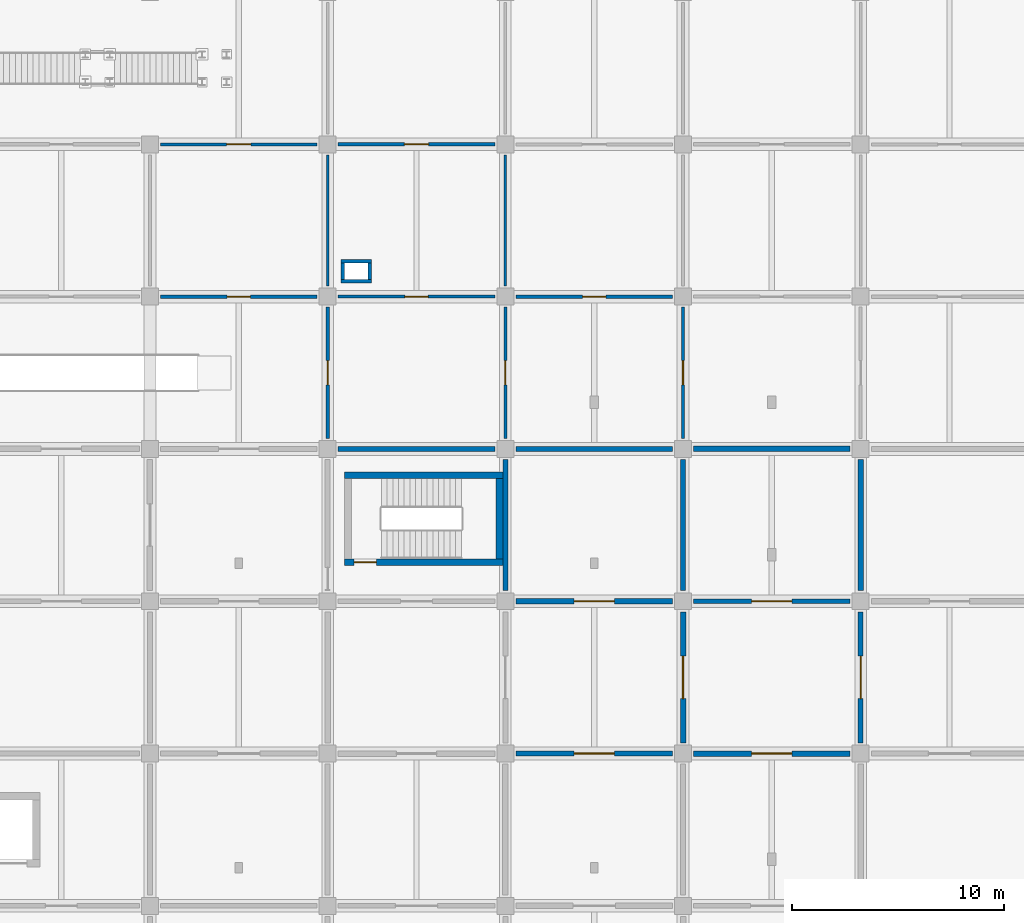
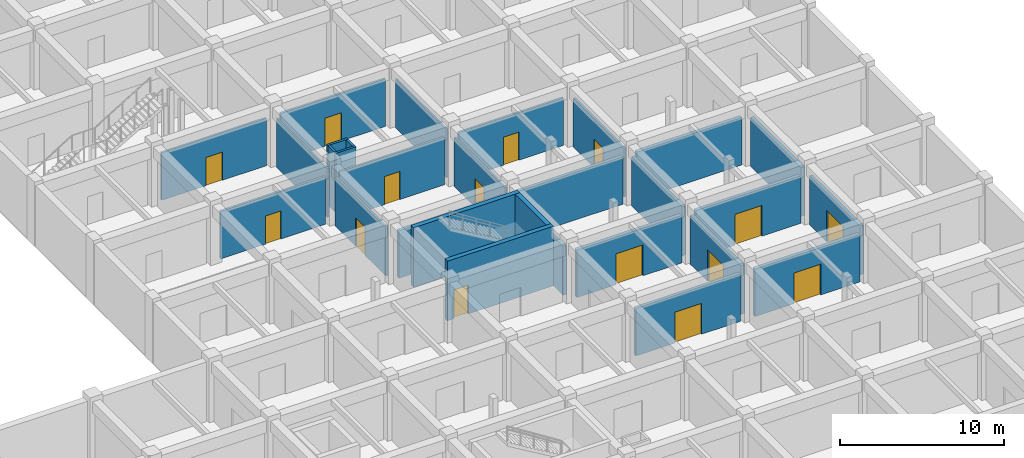
# One storey, part 27 of 32: 29 walls, 15 doors, 15 openings.
"""IFC4 building model written with IfcOpenShell, lengths in metres."""

import ifcopenshell
import ifcopenshell.guid

model = None  # the IFC model being written
_history = None  # IfcOwnerHistory: only IFC2X3 demands one
_inside = {}  # id of a spatial element -> (the spatial element, [elements in it])
_under = {}  # id of a project, library or spatial element -> (it, [spatial elements below it])
_declared = {}  # id of a project -> (the project, [libraries it declares])
_typed = {}  # id of a type object -> (the type object, [elements of that type])
_made_of = {}  # id of a material, layer set ... -> (it, [elements and type objects made of it])


def new_model(schema):
    """Start an empty IFC model of exactly this schema.

    Asked for "IFC4X3", IfcOpenShell would pick the latest addendum, in which some entities
    have other attributes; the version numbers below select the first issue.
    IFC2X3 requires an IfcOwnerHistory on every rooted entity: one is made here for all.
    """
    global model, _history
    if schema == "IFC4X3":
        model = ifcopenshell.file(schema_version=(4, 3, 0, 0))
    else:
        model = ifcopenshell.file(schema=schema)
    _inside.clear()
    _under.clear()
    _declared.clear()
    _typed.clear()
    _made_of.clear()
    _history = None
    if model.schema == "IFC2X3":
        org = make("IfcOrganization", Name="unknown")
        user = make(
            "IfcPersonAndOrganization",
            ThePerson=make("IfcPerson", FamilyName="unknown"),
            TheOrganization=org,
        )
        app = make(
            "IfcApplication",
            ApplicationDeveloper=org,
            Version="unknown",
            ApplicationFullName="unknown",
            ApplicationIdentifier="unknown",
        )
        _history = make(
            "IfcOwnerHistory",
            OwningUser=user,
            OwningApplication=app,
            ChangeAction="ADDED",
            CreationDate=0,
        )
    return model


def make(cls, **values):
    """One entity of the class cls with the attributes given. An attribute that is None is left unset."""
    return model.create_entity(
        cls, **{name: value for name, value in values.items() if value is not None}
    )


def rooted(cls, **values):
    """An entity with a GlobalId (a new one), such as an element, a storey or a relation."""
    return make(cls, GlobalId=ifcopenshell.guid.new(), OwnerHistory=_history, **values)


def si_unit(unit_type, name, prefix=None):
    """IfcSIUnit, for example si_unit("LENGTHUNIT", "METRE", prefix="MILLI")."""
    return make("IfcSIUnit", UnitType=unit_type, Prefix=prefix, Name=name)


def derived_unit(unit_type, elements):
    """IfcDerivedUnit: a product of units, each with its exponent."""
    return make(
        "IfcDerivedUnit",
        Elements=[
            make("IfcDerivedUnitElement", Unit=unit, Exponent=power)
            for unit, power in elements
        ],
        UnitType=unit_type,
    )


def assignment(units):
    """IfcUnitAssignment: the units of a project."""
    return None if units is None else make("IfcUnitAssignment", Units=units)


def point(xyz):
    """IfcCartesianPoint."""
    return None if xyz is None else make("IfcCartesianPoint", Coordinates=xyz)


def direction(xyz):
    """IfcDirection."""
    return None if xyz is None else make("IfcDirection", DirectionRatios=xyz)


def frame(location, z_axis=None, x_axis=None):
    """IfcAxis2Placement3D, a coordinate frame: its origin and axes. An axis left out is left unset."""
    return make(
        "IfcAxis2Placement3D",
        Location=point(location),
        Axis=direction(z_axis),
        RefDirection=direction(x_axis),
    )


def frame_2d(location, x_axis=None):
    """IfcAxis2Placement2D, a coordinate frame in the plane: its origin and x axis."""
    return make(
        "IfcAxis2Placement2D", Location=point(location), RefDirection=direction(x_axis)
    )


def origin():
    """The frame at (0, 0, 0) with its axes left unset."""
    return frame((0.0, 0.0, 0.0))


def place(relative_to, where):
    """IfcLocalPlacement: puts the frame where relative to a parent placement (None: the world)."""
    return make(
        "IfcLocalPlacement", PlacementRelTo=relative_to, RelativePlacement=where
    )


def context(
    kind, dimensions, precision=None, world=None, true_north=None, identifier=None
):
    """IfcGeometricRepresentationContext, for example the 3D "Model" context."""
    return make(
        "IfcGeometricRepresentationContext",
        ContextIdentifier=identifier,
        ContextType=kind,
        CoordinateSpaceDimension=dimensions,
        Precision=precision,
        WorldCoordinateSystem=world,
        TrueNorth=true_north,
    )


def subcontext(parent, identifier, kind, view, scale=None):
    """IfcGeometricRepresentationSubContext, for example "Body" below "Model"."""
    return make(
        "IfcGeometricRepresentationSubContext",
        ContextIdentifier=identifier,
        ContextType=kind,
        ParentContext=parent,
        TargetScale=scale,
        TargetView=view,
    )


def project(units=None, contexts=None):
    """IfcProject with its units and contexts."""
    return rooted(
        "IfcProject",
        Name="project",
        RepresentationContexts=contexts,
        UnitsInContext=assignment(units),
    )


def spatial(cls, under=None, at=None, **own):
    """A site, building, storey or space (cls), placed at a placement, below another one or the project."""
    s = rooted(cls, ObjectPlacement=at, **own)
    if under is not None:
        _under.setdefault(under.id(), (under, []))[1].append(s)
    return s


def profile(cls, at=None, kind="AREA", **sizes):
    """A parametric profile (cls). Its sizes go by their IFC names, for example OverallWidth=200.0."""
    return make(cls, ProfileType=kind, Position=at, **sizes)


def rectangle(**sizes):
    """IfcRectangleProfileDef."""
    return profile("IfcRectangleProfileDef", **sizes)


def extrude(swept, where, along, depth):
    """IfcExtrudedAreaSolid: the profile swept, set in the frame where, extruded along a direction by depth."""
    return make(
        "IfcExtrudedAreaSolid",
        SweptArea=swept,
        Position=where,
        ExtrudedDirection=direction(along),
        Depth=depth,
    )


def shape(context_of_items, identifier, shape_type, items):
    """IfcShapeRepresentation: the items that make up one representation, for example the "Body"."""
    return make(
        "IfcShapeRepresentation",
        ContextOfItems=context_of_items,
        RepresentationIdentifier=identifier,
        RepresentationType=shape_type,
        Items=items,
    )


def material(Name=None, Category=None):
    """IfcMaterial."""
    return make("IfcMaterial", Name=Name, Category=Category)


def layer(
    of_material, thickness, ventilated=None, Name=None, Category=None, Priority=None
):
    """IfcMaterialLayer: one layer of a wall or slab, of a material (None: an air gap)."""
    return make(
        "IfcMaterialLayer",
        Material=of_material,
        LayerThickness=thickness,
        IsVentilated=ventilated,
        Name=Name,
        Category=Category,
        Priority=Priority,
    )


def layer_set(layers, Name=None):
    """IfcMaterialLayerSet."""
    return make("IfcMaterialLayerSet", MaterialLayers=layers, LayerSetName=Name)


def made_of(thing, what):
    """Note that an element or type object is made of a material, layer set ...; save() writes the relation."""
    if what is not None:
        _made_of.setdefault(what.id(), (what, []))[1].append(thing)
    return thing


def type_object(cls, material=None, **own):
    """A type object (cls), such as IfcWallType, which elements share."""
    return made_of(rooted(cls, **own), material)


def element(
    cls,
    number,
    at=None,
    inside=None,
    cuts=None,
    type_object=None,
    material=None,
    context=None,
    identifier="Body",
    shape_type=None,
    held_by="IfcProductDefinitionShape",
    body=None,
    shapes=None,
    **own,
):
    """One element of the class cls, such as IfcWall. Its Tag is "e" and its number.

    at: its placement. inside: the storey or other place that contains it. cuts: it is an
    opening in that element (IfcRelVoidsElement). A single representation is given by context,
    identifier, shape_type and body (its items); several are given by shapes. held_by: the class
    of the entity that holds the representations. save() writes the other relations.
    """
    e = rooted(cls, Tag="e%d" % number, ObjectPlacement=at, **own)
    if body is not None:
        shapes = [shape(context, identifier, shape_type, body)]
    if shapes is not None:
        e.Representation = make(held_by, Representations=shapes)
    if inside is not None:
        _inside.setdefault(inside.id(), (inside, []))[1].append(e)
    if cuts is not None:
        rooted(
            "IfcRelVoidsElement", RelatingBuildingElement=cuts, RelatedOpeningElement=e
        )
    if type_object is not None:
        _typed.setdefault(type_object.id(), (type_object, []))[1].append(e)
    return made_of(e, material)


def fill(opening, filler):
    """IfcRelFillsElement: the door or window that sits in an opening."""
    return rooted(
        "IfcRelFillsElement",
        RelatingOpeningElement=opening,
        RelatedBuildingElement=filler,
    )


def aggregate(whole, parts):
    """IfcRelAggregates: a whole, such as a stair, and the parts it consists of."""
    return rooted("IfcRelAggregates", RelatingObject=whole, RelatedObjects=parts)


def save(model, path):
    """Write the relations noted so far, then the file.

    IfcRelAggregates (storeys below a building ...), IfcRelContainedInSpatialStructure (elements
    in a storey), IfcRelDefinesByType, IfcRelAssociatesMaterial and IfcRelDeclares: one each for
    every whole, place, type object, material and project.
    """
    for whole, parts in _under.values():
        aggregate(whole, parts)
    for where, things in _inside.values():
        rooted(
            "IfcRelContainedInSpatialStructure",
            RelatedElements=things,
            RelatingStructure=where,
        )
    for kind, things in _typed.values():
        rooted("IfcRelDefinesByType", RelatedObjects=things, RelatingType=kind)
    for what, things in _made_of.values():
        rooted("IfcRelAssociatesMaterial", RelatedObjects=things, RelatingMaterial=what)
    for by, libraries in _declared.values():
        rooted("IfcRelDeclares", RelatingContext=by, RelatedDefinitions=libraries)
    model.write(path)


model = new_model("IFC4")

# Units and contexts
model_context = context("Model", 3, precision=1e-05, world=origin(), true_north=direction((0.0, 1.0)))
body_context = subcontext(model_context, "Body", "Model", "MODEL_VIEW")
ifc_project = project(units=[si_unit("LENGTHUNIT", "METRE"), si_unit("AREAUNIT", "SQUARE_METRE"), si_unit("VOLUMEUNIT", "CUBIC_METRE"), si_unit("PLANEANGLEUNIT", "RADIAN"), si_unit("MASSUNIT", "GRAM", prefix="KILO"), derived_unit("THERMALTRANSMITTANCEUNIT", [(si_unit("MASSUNIT", "GRAM", prefix="KILO"), 1), (si_unit("TIMEUNIT", "SECOND"), -3), (si_unit("THERMODYNAMICTEMPERATUREUNIT", "KELVIN"), -1)])], contexts=[model_context])

# Site, building, storey
site_placement = place(None, origin())
site = spatial("IfcSite", under=ifc_project, at=site_placement, CompositionType="ELEMENT")
building_placement = place(site_placement, origin())
building = spatial("IfcBuilding", under=site, at=building_placement, Name="Veldstrom Oceanarium and Marine Research Institute", CompositionType="ELEMENT")
storey_placement = place(building_placement, frame((0.0, 0.0, -4.800048828125)))
storey = spatial("IfcBuildingStorey", under=building, at=storey_placement, Name="B01", CompositionType="ELEMENT", Elevation=-4.800048828125)

# Walls
ifc_material_1 = material(Name="Masonry Fire Compartment Wall", Category="masonry")
ifc_layer_1 = layer(ifc_material_1, 0.22998046875)
ifc_layer_set_1 = layer_set([ifc_layer_1], Name="ARC-WAL-PT1")
wall_type_1 = type_object("IfcWallType", Name="ARC-WAL-PT1", PredefinedType="PARTITIONING", material=ifc_layer_set_1)
wall_1_placement = place(storey_placement, frame((142.800048828125, 72.5, 0.0), z_axis=(0.0, 0.0, 1.0), x_axis=(0.0, 1.0, 0.0)))
element("IfcWall", 1, at=wall_1_placement, inside=storey, type_object=wall_type_1, Name="Interior Partition PT1 B01-0509", PredefinedType="PARTITIONING", context=body_context, shape_type="SweptSolid", body=[
    extrude(rectangle(XDim=6.199951171875, YDim=0.22998046875, at=frame_2d((3.10009765625, 0.0))), origin(), (0.0, 0.0, 1.0), 3.64501953125),
])
wall_2_placement = place(storey_placement, frame((134.89990234375, 79.199951171875, 0.0), z_axis=(0.0, 0.0, 1.0), x_axis=(1.0, 0.0, 0.0)))
element("IfcWall", 2, at=wall_2_placement, inside=storey, type_object=wall_type_1, Name="Interior Partition PT1 B01-0510", PredefinedType="PARTITIONING", context=body_context, shape_type="SweptSolid", body=[
    extrude(rectangle(XDim=7.400146484375, YDim=0.22998046875, at=frame_2d((3.7001953125, 0.0))), origin(), (0.0, 0.0, 1.0), 3.545166015625),
])

# Wall, opening, door
wall_3_placement = place(storey_placement, frame((143.300048828125, 64.800048828125, 0.0), z_axis=(0.0, 0.0, 1.0), x_axis=(1.0, 0.0, 0.0)))
wall_3 = element("IfcWall", 3, at=wall_3_placement, inside=storey, type_object=wall_type_1, Name="Interior Partition PT1 B01-0525", PredefinedType="PARTITIONING", context=body_context, shape_type="SweptSolid", body=[
    extrude(rectangle(XDim=7.39990234375, YDim=0.22998046875, at=frame_2d((3.699951171875, 0.0))), origin(), (0.0, 0.0, 1.0), 3.545166015625),
])
opening_1_placement = place(wall_3_placement, frame((2.75, 0.0, 0.0)))
opening_1 = element("IfcOpeningElement", 4, at=opening_1_placement, cuts=wall_3, Name="Opening D-B01-304", PredefinedType="OPENING", context=body_context, shape_type="SweptSolid", body=[
    extrude(rectangle(XDim=1.89990234375, YDim=2.300048828125, at=frame_2d((0.949951171875, 1.14990234375))), frame((0.0, 0.125, 0.0), z_axis=(0.0, -1.0, 0.0), x_axis=(1.0, 0.0, 0.0)), (0.0, 0.0, 1.0), 0.25),
])
ifc_material_2 = material(Name="Plant Hall Equipment Door", Category="steel")
door_type_1 = type_object("IfcDoorType", Name="ARC-DOR-ID12", OperationType="DOUBLE_DOOR_SINGLE_SWING", PredefinedType="DOOR", material=ifc_material_2)
door_1_placement = place(opening_1_placement, origin())
door_1 = element("IfcDoor", 5, at=door_1_placement, inside=storey, type_object=door_type_1, Name="Interior Door D-B01-304", OperationType="DOUBLE_DOOR_SINGLE_SWING", OverallHeight=2.300048828125, OverallWidth=1.89990234375, PredefinedType="DOOR", context=body_context, shape_type="SweptSolid", body=[
    extrude(rectangle(XDim=1.89990234375, YDim=2.300048828125, at=frame_2d((0.949951171875, 1.14990234375))), frame((0.0, 0.02490234375, 0.0), z_axis=(0.0, -1.0, 0.0), x_axis=(1.0, 0.0, 0.0)), (0.0, 0.0, 1.0), 0.050048828125),
])
fill(opening_1, door_1)

# Walls
wall_4_placement = place(storey_placement, frame((151.199951171875, 72.5, 0.0), z_axis=(0.0, 0.0, 1.0), x_axis=(0.0, 1.0, 0.0)))
element("IfcWall", 6, at=wall_4_placement, inside=storey, type_object=wall_type_1, Name="Interior Partition PT1 B01-0528", PredefinedType="PARTITIONING", context=body_context, shape_type="SweptSolid", body=[
    extrude(rectangle(XDim=6.199951171875, YDim=0.22998046875, at=frame_2d((3.10009765625, 0.0))), origin(), (0.0, 0.0, 1.0), 3.64501953125),
])
wall_5_placement = place(storey_placement, frame((143.300048828125, 79.199951171875, 0.0), z_axis=(0.0, 0.0, 1.0), x_axis=(1.0, 0.0, 0.0)))
element("IfcWall", 7, at=wall_5_placement, inside=storey, type_object=wall_type_1, Name="Interior Partition PT1 B01-0529", PredefinedType="PARTITIONING", context=body_context, shape_type="SweptSolid", body=[
    extrude(rectangle(XDim=7.39990234375, YDim=0.22998046875, at=frame_2d((3.699951171875, 0.0))), origin(), (0.0, 0.0, 1.0), 3.545166015625),
])

# Wall, opening, door
wall_6_placement = place(storey_placement, frame((159.60009765625, 65.300048828125, 0.0), z_axis=(0.0, 0.0, 1.0), x_axis=(0.0, 1.0, 0.0)))
wall_6 = element("IfcWall", 8, at=wall_6_placement, inside=storey, type_object=wall_type_1, Name="Interior Partition PT1 B01-0545", PredefinedType="PARTITIONING", context=body_context, shape_type="SweptSolid", body=[
    extrude(rectangle(XDim=6.199951171875, YDim=0.22998046875, at=frame_2d((3.10009765625, 0.0))), origin(), (0.0, 0.0, 1.0), 3.64501953125),
])
opening_2_placement = place(wall_6_placement, frame((2.10009765625, 0.0, 0.0)))
opening_2 = element("IfcOpeningElement", 9, at=opening_2_placement, cuts=wall_6, Name="Opening D-B01-315", PredefinedType="OPENING", context=body_context, shape_type="SweptSolid", body=[
    extrude(rectangle(XDim=2.0, YDim=2.35009765625, at=frame_2d((1.0, 1.175048828125))), frame((0.0, 0.125, 0.0), z_axis=(0.0, -1.0, 0.0), x_axis=(1.0, 0.0, 0.0)), (0.0, 0.0, 1.0), 0.25),
])
ifc_material_3 = material(Name="Filtration Hall Double Door", Category="steel")
door_type_2 = type_object("IfcDoorType", Name="ARC-DOR-ID18", OperationType="DOUBLE_DOOR_SINGLE_SWING", PredefinedType="DOOR", material=ifc_material_3)
door_2_placement = place(opening_2_placement, frame((2.0, 0.0, 0.0), z_axis=(0.0, 0.0, 1.0), x_axis=(-1.0, 0.0, 0.0)))
door_2 = element("IfcDoor", 10, at=door_2_placement, inside=storey, type_object=door_type_2, Name="Interior Door D-B01-315", OperationType="DOUBLE_DOOR_SINGLE_SWING", OverallHeight=2.35009765625, OverallWidth=2.0, PredefinedType="DOOR", context=body_context, shape_type="SweptSolid", body=[
    extrude(rectangle(XDim=2.0, YDim=2.35009765625, at=frame_2d((1.0, 1.175048828125))), frame((0.0, 0.02490234375, 0.0), z_axis=(0.0, -1.0, 0.0), x_axis=(1.0, 0.0, 0.0)), (0.0, 0.0, 1.0), 0.050048828125),
])
fill(opening_2, door_2)

wall_7_placement = place(storey_placement, frame((151.699951171875, 72.0, 0.0), z_axis=(0.0, 0.0, 1.0), x_axis=(1.0, 0.0, 0.0)))
wall_7 = element("IfcWall", 11, at=wall_7_placement, inside=storey, type_object=wall_type_1, Name="Interior Partition PT1 B01-0546", PredefinedType="PARTITIONING", context=body_context, shape_type="SweptSolid", body=[
    extrude(rectangle(XDim=7.400146484375, YDim=0.22998046875, at=frame_2d((3.7001953125, 0.0))), origin(), (0.0, 0.0, 1.0), 3.545166015625),
])
opening_3_placement = place(wall_7_placement, frame((2.75, 0.0, 0.0)))
opening_3 = element("IfcOpeningElement", 12, at=opening_3_placement, cuts=wall_7, Name="Opening D-B01-316", PredefinedType="OPENING", context=body_context, shape_type="SweptSolid", body=[
    extrude(rectangle(XDim=1.89990234375, YDim=2.300048828125, at=frame_2d((0.949951171875, 1.14990234375))), frame((0.0, 0.125, 0.0), z_axis=(0.0, -1.0, 0.0), x_axis=(1.0, 0.0, 0.0)), (0.0, 0.0, 1.0), 0.25),
])
door_3_placement = place(opening_3_placement, origin())
door_3 = element("IfcDoor", 13, at=door_3_placement, inside=storey, type_object=door_type_1, Name="Interior Door D-B01-316", OperationType="DOUBLE_DOOR_SINGLE_SWING", OverallHeight=2.300048828125, OverallWidth=1.89990234375, PredefinedType="DOOR", context=body_context, shape_type="SweptSolid", body=[
    extrude(rectangle(XDim=1.89990234375, YDim=2.300048828125, at=frame_2d((0.949951171875, 1.14990234375))), frame((0.0, 0.02490234375, 0.0), z_axis=(0.0, -1.0, 0.0), x_axis=(1.0, 0.0, 0.0)), (0.0, 0.0, 1.0), 0.050048828125),
])
fill(opening_3, door_3)

ifc_material_4 = material(Name="Drywall Corridor Partition", Category="gypsum")
ifc_layer_2 = layer(ifc_material_4, 0.155029296875)
ifc_layer_set_2 = layer_set([ifc_layer_2], Name="ARC-WAL-PT4")
wall_type_2 = type_object("IfcWallType", Name="ARC-WAL-PT4", PredefinedType="PARTITIONING", material=ifc_layer_set_2)
wall_8_placement = place(storey_placement, frame((134.39990234375, 79.699951171875, 0.0), z_axis=(0.0, 0.0, 1.0), x_axis=(0.0, 1.0, 0.0)))
wall_8 = element("IfcWall", 14, at=wall_8_placement, inside=storey, type_object=wall_type_2, Name="Interior Partition PT4 B01-0492", PredefinedType="PARTITIONING", context=body_context, shape_type="SweptSolid", body=[
    extrude(rectangle(XDim=6.199951171875, YDim=0.155029296875, at=frame_2d((3.10009765625, 0.0))), origin(), (0.0, 0.0, 1.0), 3.64501953125),
])
opening_4_placement = place(wall_8_placement, frame((2.52490234375, 0.0, 0.0)))
opening_4 = element("IfcOpeningElement", 15, at=opening_4_placement, cuts=wall_8, Name="Opening D-B01-287", PredefinedType="OPENING", context=body_context, shape_type="SweptSolid", body=[
    extrude(rectangle(XDim=1.14990234375, YDim=2.10009765625, at=frame_2d((0.574951171875, 1.050048828125))), frame((0.0, 0.08740234375, 0.0), z_axis=(0.0, -1.0, 0.0), x_axis=(1.0, 0.0, 0.0)), (0.0, 0.0, 1.0), 0.175048828125),
])
ifc_material_5 = material(Name="Fellows Studio Door", Category="timber")
door_type_3 = type_object("IfcDoorType", Name="ARC-DOR-ID17", OperationType="SINGLE_SWING_LEFT", PredefinedType="DOOR", material=ifc_material_5)
door_4_placement = place(opening_4_placement, origin())
door_4 = element("IfcDoor", 16, at=door_4_placement, inside=storey, type_object=door_type_3, Name="Interior Door D-B01-287", OperationType="SINGLE_SWING_RIGHT", OverallHeight=2.10009765625, OverallWidth=1.14990234375, PredefinedType="DOOR", context=body_context, shape_type="SweptSolid", body=[
    extrude(rectangle(XDim=1.14990234375, YDim=2.10009765625, at=frame_2d((0.574951171875, 1.050048828125))), frame((0.0, 0.02490234375, 0.0), z_axis=(0.0, -1.0, 0.0), x_axis=(1.0, 0.0, 0.0)), (0.0, 0.0, 1.0), 0.050048828125),
])
fill(opening_4, door_4)

wall_9_placement = place(storey_placement, frame((126.5, 86.39990234375, 0.0), z_axis=(0.0, 0.0, 1.0), x_axis=(1.0, 0.0, 0.0)))
wall_9 = element("IfcWall", 17, at=wall_9_placement, inside=storey, type_object=wall_type_2, Name="Interior Partition PT4 B01-0493", PredefinedType="PARTITIONING", context=body_context, shape_type="SweptSolid", body=[
    extrude(rectangle(XDim=7.39990234375, YDim=0.155029296875, at=frame_2d((3.699951171875, 0.0))), origin(), (0.0, 0.0, 1.0), 3.545166015625),
])
opening_5_placement = place(wall_9_placement, frame((3.14990234375, 0.0, 0.0)))
opening_5 = element("IfcOpeningElement", 18, at=opening_5_placement, cuts=wall_9, Name="Opening D-B01-288", PredefinedType="OPENING", context=body_context, shape_type="SweptSolid", body=[
    extrude(rectangle(XDim=1.10009765625, YDim=2.10009765625, at=frame_2d((0.550048828125, 1.050048828125))), frame((0.0, 0.08740234375, 0.0), z_axis=(0.0, -1.0, 0.0), x_axis=(1.0, 0.0, 0.0)), (0.0, 0.0, 1.0), 0.175048828125),
])
ifc_material_6 = material(Name="Research Office Door", Category="timber")
door_type_4 = type_object("IfcDoorType", Name="ARC-DOR-ID07", OperationType="SINGLE_SWING_LEFT", PredefinedType="DOOR", material=ifc_material_6)
door_5_placement = place(opening_5_placement, frame((1.10009765625, 0.0, 0.0), z_axis=(0.0, 0.0, 1.0), x_axis=(-1.0, 0.0, 0.0)))
door_5 = element("IfcDoor", 19, at=door_5_placement, inside=storey, type_object=door_type_4, Name="Interior Door D-B01-288", OperationType="SINGLE_SWING_LEFT", OverallHeight=2.10009765625, OverallWidth=1.10009765625, PredefinedType="DOOR", context=body_context, shape_type="SweptSolid", body=[
    extrude(rectangle(XDim=1.10009765625, YDim=2.10009765625, at=frame_2d((0.550048828125, 1.050048828125))), frame((0.0, 0.02490234375, 0.0), z_axis=(0.0, -1.0, 0.0), x_axis=(1.0, 0.0, 0.0)), (0.0, 0.0, 1.0), 0.050048828125),
])
fill(opening_5, door_5)

wall_10_placement = place(storey_placement, frame((134.89990234375, 93.60009765625, 0.0), z_axis=(0.0, 0.0, 1.0), x_axis=(1.0, 0.0, 0.0)))
wall_10 = element("IfcWall", 20, at=wall_10_placement, inside=storey, type_object=wall_type_2, Name="Interior Partition PT4 B01-0514", PredefinedType="PARTITIONING", context=body_context, shape_type="SweptSolid", body=[
    extrude(rectangle(XDim=7.400146484375, YDim=0.155029296875, at=frame_2d((3.7001953125, 0.0))), origin(), (0.0, 0.0, 1.0), 3.545166015625),
])
opening_6_placement = place(wall_10_placement, frame((3.125, 0.0, 0.0)))
opening_6 = element("IfcOpeningElement", 21, at=opening_6_placement, cuts=wall_10, Name="Opening D-B01-299", PredefinedType="OPENING", context=body_context, shape_type="SweptSolid", body=[
    extrude(rectangle(XDim=1.14990234375, YDim=2.10009765625, at=frame_2d((0.574951171875, 1.050048828125))), frame((0.0, 0.08740234375, 0.0), z_axis=(0.0, -1.0, 0.0), x_axis=(1.0, 0.0, 0.0)), (0.0, 0.0, 1.0), 0.175048828125),
])
door_6_placement = place(opening_6_placement, frame((1.14990234375, 0.0, 0.0), z_axis=(0.0, 0.0, 1.0), x_axis=(-1.0, 0.0, 0.0)))
door_6 = element("IfcDoor", 22, at=door_6_placement, inside=storey, type_object=door_type_3, Name="Interior Door D-B01-299", OperationType="SINGLE_SWING_LEFT", OverallHeight=2.10009765625, OverallWidth=1.14990234375, PredefinedType="DOOR", context=body_context, shape_type="SweptSolid", body=[
    extrude(rectangle(XDim=1.14990234375, YDim=2.10009765625, at=frame_2d((0.574951171875, 1.050048828125))), frame((0.0, 0.02490234375, 0.0), z_axis=(0.0, -1.0, 0.0), x_axis=(1.0, 0.0, 0.0)), (0.0, 0.0, 1.0), 0.050048828125),
])
fill(opening_6, door_6)

wall_11_placement = place(storey_placement, frame((151.199951171875, 79.699951171875, 0.0), z_axis=(0.0, 0.0, 1.0), x_axis=(0.0, 1.0, 0.0)))
wall_11 = element("IfcWall", 23, at=wall_11_placement, inside=storey, type_object=wall_type_2, Name="Interior Partition PT4 B01-0530", PredefinedType="PARTITIONING", context=body_context, shape_type="SweptSolid", body=[
    extrude(rectangle(XDim=6.199951171875, YDim=0.155029296875, at=frame_2d((3.10009765625, 0.0))), origin(), (0.0, 0.0, 1.0), 3.64501953125),
])
opening_7_placement = place(wall_11_placement, frame((2.52490234375, 0.0, 0.0)))
opening_7 = element("IfcOpeningElement", 24, at=opening_7_placement, cuts=wall_11, Name="Opening D-B01-307", PredefinedType="OPENING", context=body_context, shape_type="SweptSolid", body=[
    extrude(rectangle(XDim=1.14990234375, YDim=2.10009765625, at=frame_2d((0.574951171875, 1.050048828125))), frame((0.0, 0.08740234375, 0.0), z_axis=(0.0, -1.0, 0.0), x_axis=(1.0, 0.0, 0.0)), (0.0, 0.0, 1.0), 0.175048828125),
])
door_7_placement = place(opening_7_placement, origin())
door_7 = element("IfcDoor", 25, at=door_7_placement, inside=storey, type_object=door_type_3, Name="Interior Door D-B01-307", OperationType="SINGLE_SWING_RIGHT", OverallHeight=2.10009765625, OverallWidth=1.14990234375, PredefinedType="DOOR", context=body_context, shape_type="SweptSolid", body=[
    extrude(rectangle(XDim=1.14990234375, YDim=2.10009765625, at=frame_2d((0.574951171875, 1.050048828125))), frame((0.0, 0.02490234375, 0.0), z_axis=(0.0, -1.0, 0.0), x_axis=(1.0, 0.0, 0.0)), (0.0, 0.0, 1.0), 0.050048828125),
])
fill(opening_7, door_7)

wall_12_placement = place(storey_placement, frame((143.300048828125, 86.39990234375, 0.0), z_axis=(0.0, 0.0, 1.0), x_axis=(1.0, 0.0, 0.0)))
wall_12 = element("IfcWall", 26, at=wall_12_placement, inside=storey, type_object=wall_type_2, Name="Interior Partition PT4 B01-0531", PredefinedType="PARTITIONING", context=body_context, shape_type="SweptSolid", body=[
    extrude(rectangle(XDim=7.39990234375, YDim=0.155029296875, at=frame_2d((3.699951171875, 0.0))), origin(), (0.0, 0.0, 1.0), 3.545166015625),
])
opening_8_placement = place(wall_12_placement, frame((3.14990234375, 0.0, 0.0)))
opening_8 = element("IfcOpeningElement", 27, at=opening_8_placement, cuts=wall_12, Name="Opening D-B01-308", PredefinedType="OPENING", context=body_context, shape_type="SweptSolid", body=[
    extrude(rectangle(XDim=1.10009765625, YDim=2.10009765625, at=frame_2d((0.550048828125, 1.050048828125))), frame((0.0, 0.08740234375, 0.0), z_axis=(0.0, -1.0, 0.0), x_axis=(1.0, 0.0, 0.0)), (0.0, 0.0, 1.0), 0.175048828125),
])
door_8_placement = place(opening_8_placement, frame((1.10009765625, 0.0, 0.0), z_axis=(0.0, 0.0, 1.0), x_axis=(-1.0, 0.0, 0.0)))
door_8 = element("IfcDoor", 28, at=door_8_placement, inside=storey, type_object=door_type_4, Name="Interior Door D-B01-308", OperationType="SINGLE_SWING_LEFT", OverallHeight=2.10009765625, OverallWidth=1.10009765625, PredefinedType="DOOR", context=body_context, shape_type="SweptSolid", body=[
    extrude(rectangle(XDim=1.10009765625, YDim=2.10009765625, at=frame_2d((0.550048828125, 1.050048828125))), frame((0.0, 0.02490234375, 0.0), z_axis=(0.0, -1.0, 0.0), x_axis=(1.0, 0.0, 0.0)), (0.0, 0.0, 1.0), 0.050048828125),
])
fill(opening_8, door_8)

ifc_material_7 = material(Name="Moisture-Resistant Wet-Area Partition", Category="masonry")
ifc_layer_3 = layer(ifc_material_7, 0.139892578125)
ifc_layer_set_3 = layer_set([ifc_layer_3], Name="ARC-WAL-PT5")
wall_type_3 = type_object("IfcWallType", Name="ARC-WAL-PT5", PredefinedType="PARTITIONING", material=ifc_layer_set_3)
wall_13_placement = place(storey_placement, frame((126.5, 93.60009765625, 0.0), z_axis=(0.0, 0.0, 1.0), x_axis=(1.0, 0.0, 0.0)))
wall_13 = element("IfcWall", 29, at=wall_13_placement, inside=storey, type_object=wall_type_3, Name="Interior Partition PT5 B01-0495", PredefinedType="PARTITIONING", context=body_context, shape_type="SweptSolid", body=[
    extrude(rectangle(XDim=7.39990234375, YDim=0.139892578125, at=frame_2d((3.699951171875, 0.0))), origin(), (0.0, 0.0, 1.0), 3.545166015625),
])
opening_9_placement = place(wall_13_placement, frame((3.125, 0.0, 0.0)))
opening_9 = element("IfcOpeningElement", 30, at=opening_9_placement, cuts=wall_13, Name="Opening D-B01-289", PredefinedType="OPENING", context=body_context, shape_type="SweptSolid", body=[
    extrude(rectangle(XDim=1.14990234375, YDim=2.10009765625, at=frame_2d((0.574951171875, 1.050048828125))), frame((0.0, 0.079833984375, 0.0), z_axis=(0.0, -1.0, 0.0), x_axis=(1.0, 0.0, 0.0)), (0.0, 0.0, 1.0), 0.159912109375),
])
door_9_placement = place(opening_9_placement, origin())
door_9 = element("IfcDoor", 31, at=door_9_placement, inside=storey, type_object=door_type_3, Name="Interior Door D-B01-289", OperationType="SINGLE_SWING_LEFT", OverallHeight=2.10009765625, OverallWidth=1.14990234375, PredefinedType="DOOR", context=body_context, shape_type="SweptSolid", body=[
    extrude(rectangle(XDim=1.14990234375, YDim=2.10009765625, at=frame_2d((0.574951171875, 1.050048828125))), frame((0.0, 0.02490234375, 0.0), z_axis=(0.0, -1.0, 0.0), x_axis=(1.0, 0.0, 0.0)), (0.0, 0.0, 1.0), 0.050048828125),
])
fill(opening_9, door_9)

wall_14_placement = place(storey_placement, frame((142.800048828125, 79.699951171875, 0.0), z_axis=(0.0, 0.0, 1.0), x_axis=(0.0, 1.0, 0.0)))
wall_14 = element("IfcWall", 32, at=wall_14_placement, inside=storey, type_object=wall_type_3, Name="Interior Partition PT5 B01-0511", PredefinedType="PARTITIONING", context=body_context, shape_type="SweptSolid", body=[
    extrude(rectangle(XDim=6.199951171875, YDim=0.139892578125, at=frame_2d((3.10009765625, 0.0))), origin(), (0.0, 0.0, 1.0), 3.64501953125),
])
opening_10_placement = place(wall_14_placement, frame((2.52490234375, 0.0, 0.0)))
opening_10 = element("IfcOpeningElement", 33, at=opening_10_placement, cuts=wall_14, Name="Opening D-B01-297", PredefinedType="OPENING", context=body_context, shape_type="SweptSolid", body=[
    extrude(rectangle(XDim=1.14990234375, YDim=2.10009765625, at=frame_2d((0.574951171875, 1.050048828125))), frame((0.0, 0.079833984375, 0.0), z_axis=(0.0, -1.0, 0.0), x_axis=(1.0, 0.0, 0.0)), (0.0, 0.0, 1.0), 0.159912109375),
])
door_10_placement = place(opening_10_placement, frame((1.14990234375, 0.0, 0.0), z_axis=(0.0, 0.0, 1.0), x_axis=(-1.0, 0.0, 0.0)))
door_10 = element("IfcDoor", 34, at=door_10_placement, inside=storey, type_object=door_type_3, Name="Interior Door D-B01-297", OperationType="SINGLE_SWING_RIGHT", OverallHeight=2.10009765625, OverallWidth=1.14990234375, PredefinedType="DOOR", context=body_context, shape_type="SweptSolid", body=[
    extrude(rectangle(XDim=1.14990234375, YDim=2.10009765625, at=frame_2d((0.574951171875, 1.050048828125))), frame((0.0, 0.02490234375, 0.0), z_axis=(0.0, -1.0, 0.0), x_axis=(1.0, 0.0, 0.0)), (0.0, 0.0, 1.0), 0.050048828125),
])
fill(opening_10, door_10)

wall_15_placement = place(storey_placement, frame((134.89990234375, 86.39990234375, 0.0), z_axis=(0.0, 0.0, 1.0), x_axis=(1.0, 0.0, 0.0)))
wall_15 = element("IfcWall", 35, at=wall_15_placement, inside=storey, type_object=wall_type_3, Name="Interior Partition PT5 B01-0512", PredefinedType="PARTITIONING", context=body_context, shape_type="SweptSolid", body=[
    extrude(rectangle(XDim=7.400146484375, YDim=0.139892578125, at=frame_2d((3.7001953125, 0.0))), origin(), (0.0, 0.0, 1.0), 3.545166015625),
])
opening_11_placement = place(wall_15_placement, frame((3.14990234375, 0.0, 0.0)))
opening_11 = element("IfcOpeningElement", 36, at=opening_11_placement, cuts=wall_15, Name="Opening D-B01-298", PredefinedType="OPENING", context=body_context, shape_type="SweptSolid", body=[
    extrude(rectangle(XDim=1.10009765625, YDim=2.10009765625, at=frame_2d((0.550048828125, 1.050048828125))), frame((0.0, 0.079833984375, 0.0), z_axis=(0.0, -1.0, 0.0), x_axis=(1.0, 0.0, 0.0)), (0.0, 0.0, 1.0), 0.159912109375),
])
door_11_placement = place(opening_11_placement, origin())
door_11 = element("IfcDoor", 37, at=door_11_placement, inside=storey, type_object=door_type_4, Name="Interior Door D-B01-298", OperationType="SINGLE_SWING_LEFT", OverallHeight=2.10009765625, OverallWidth=1.10009765625, PredefinedType="DOOR", context=body_context, shape_type="SweptSolid", body=[
    extrude(rectangle(XDim=1.10009765625, YDim=2.10009765625, at=frame_2d((0.550048828125, 1.050048828125))), frame((0.0, 0.02490234375, 0.0), z_axis=(0.0, -1.0, 0.0), x_axis=(1.0, 0.0, 0.0)), (0.0, 0.0, 1.0), 0.050048828125),
])
fill(opening_11, door_11)

# Walls
ifc_material_8 = material(Name="Lightweight Studio Partition", Category="gypsum")
ifc_layer_4 = layer(ifc_material_8, 0.1201171875)
ifc_layer_set_4 = layer_set([ifc_layer_4], Name="ARC-WAL-PT6")
wall_type_4 = type_object("IfcWallType", Name="ARC-WAL-PT6", PredefinedType="PARTITIONING", material=ifc_layer_set_4)
for number, where, z_axis, x_axis, name in (
    (38, (134.39990234375, 86.89990234375, 0.0), (0.0, 0.0, 1.0), (0.0, 1.0, 0.0), "Interior Partition PT6 B01-0494"),
    (39, (142.800048828125, 86.89990234375, 0.0), (0.0, 0.0, 1.0), (0.0, 1.0, 0.0), "Interior Partition PT6 B01-0513"),
):
    element("IfcWall", number, at=place(storey_placement, frame(where, z_axis=z_axis, x_axis=x_axis)), inside=storey, type_object=wall_type_4, Name=name, PredefinedType="PARTITIONING", context=body_context, shape_type="SweptSolid", body=[
        extrude(rectangle(XDim=6.2001953125, YDim=0.1201171875, at=frame_2d((3.10009765625, 0.0))), origin(), (0.0, 0.0, 1.0), 3.64501953125),
    ])

# Wall, opening, door
ifc_material_9 = material(Name="Plant Acoustic Masonry Wall", Category="masonry")
ifc_layer_5 = layer(ifc_material_9, 0.260009765625)
ifc_layer_set_5 = layer_set([ifc_layer_5], Name="ARC-WAL-PT8")
wall_type_5 = type_object("IfcWallType", Name="ARC-WAL-PT8", PredefinedType="PARTITIONING", material=ifc_layer_set_5)
wall_16_placement = place(storey_placement, frame((151.199951171875, 65.300048828125, 0.0), z_axis=(0.0, 0.0, 1.0), x_axis=(0.0, 1.0, 0.0)))
wall_16 = element("IfcWall", 40, at=wall_16_placement, inside=storey, type_object=wall_type_5, Name="Interior Partition PT8 B01-0526", PredefinedType="PARTITIONING", context=body_context, shape_type="SweptSolid", body=[
    extrude(rectangle(XDim=6.199951171875, YDim=0.260009765625, at=frame_2d((3.10009765625, 0.0))), origin(), (0.0, 0.0, 1.0), 3.64501953125),
])
opening_12_placement = place(wall_16_placement, frame((2.10009765625, 0.0, 0.0)))
opening_12 = element("IfcOpeningElement", 41, at=opening_12_placement, cuts=wall_16, Name="Opening D-B01-305", PredefinedType="OPENING", context=body_context, shape_type="SweptSolid", body=[
    extrude(rectangle(XDim=2.0, YDim=2.35009765625, at=frame_2d((1.0, 1.175048828125))), frame((0.0, 0.139892578125, 0.0), z_axis=(0.0, -1.0, 0.0), x_axis=(1.0, 0.0, 0.0)), (0.0, 0.0, 1.0), 0.280029296875),
])
door_12_placement = place(opening_12_placement, origin())
door_12 = element("IfcDoor", 42, at=door_12_placement, inside=storey, type_object=door_type_2, Name="Interior Door D-B01-305", OperationType="DOUBLE_DOOR_SINGLE_SWING", OverallHeight=2.35009765625, OverallWidth=2.0, PredefinedType="DOOR", context=body_context, shape_type="SweptSolid", body=[
    extrude(rectangle(XDim=2.0, YDim=2.35009765625, at=frame_2d((1.0, 1.175048828125))), frame((0.0, 0.02490234375, 0.0), z_axis=(0.0, -1.0, 0.0), x_axis=(1.0, 0.0, 0.0)), (0.0, 0.0, 1.0), 0.050048828125),
])
fill(opening_12, door_12)

wall_17_placement = place(storey_placement, frame((143.300048828125, 72.0, 0.0), z_axis=(0.0, 0.0, 1.0), x_axis=(1.0, 0.0, 0.0)))
wall_17 = element("IfcWall", 43, at=wall_17_placement, inside=storey, type_object=wall_type_5, Name="Interior Partition PT8 B01-0527", PredefinedType="PARTITIONING", context=body_context, shape_type="SweptSolid", body=[
    extrude(rectangle(XDim=7.39990234375, YDim=0.260009765625, at=frame_2d((3.699951171875, 0.0))), origin(), (0.0, 0.0, 1.0), 3.545166015625),
])
opening_13_placement = place(wall_17_placement, frame((2.75, 0.0, 0.0)))
opening_13 = element("IfcOpeningElement", 44, at=opening_13_placement, cuts=wall_17, Name="Opening D-B01-306", PredefinedType="OPENING", context=body_context, shape_type="SweptSolid", body=[
    extrude(rectangle(XDim=1.89990234375, YDim=2.300048828125, at=frame_2d((0.949951171875, 1.14990234375))), frame((0.0, 0.139892578125, 0.0), z_axis=(0.0, -1.0, 0.0), x_axis=(1.0, 0.0, 0.0)), (0.0, 0.0, 1.0), 0.280029296875),
])
door_13_placement = place(opening_13_placement, frame((1.89990234375, 0.0, 0.0), z_axis=(0.0, 0.0, 1.0), x_axis=(-1.0, 0.0, 0.0)))
door_13 = element("IfcDoor", 45, at=door_13_placement, inside=storey, type_object=door_type_1, Name="Interior Door D-B01-306", OperationType="DOUBLE_DOOR_SINGLE_SWING", OverallHeight=2.300048828125, OverallWidth=1.89990234375, PredefinedType="DOOR", context=body_context, shape_type="SweptSolid", body=[
    extrude(rectangle(XDim=1.89990234375, YDim=2.300048828125, at=frame_2d((0.949951171875, 1.14990234375))), frame((0.0, 0.02490234375, 0.0), z_axis=(0.0, -1.0, 0.0), x_axis=(1.0, 0.0, 0.0)), (0.0, 0.0, 1.0), 0.050048828125),
])
fill(opening_13, door_13)

wall_18_placement = place(storey_placement, frame((151.699951171875, 64.800048828125, 0.0), z_axis=(0.0, 0.0, 1.0), x_axis=(1.0, 0.0, 0.0)))
wall_18 = element("IfcWall", 46, at=wall_18_placement, inside=storey, type_object=wall_type_5, Name="Interior Partition PT8 B01-0544", PredefinedType="PARTITIONING", context=body_context, shape_type="SweptSolid", body=[
    extrude(rectangle(XDim=7.400146484375, YDim=0.260009765625, at=frame_2d((3.7001953125, 0.0))), origin(), (0.0, 0.0, 1.0), 3.545166015625),
])
opening_14_placement = place(wall_18_placement, frame((2.75, 0.0, 0.0)))
opening_14 = element("IfcOpeningElement", 47, at=opening_14_placement, cuts=wall_18, Name="Opening D-B01-314", PredefinedType="OPENING", context=body_context, shape_type="SweptSolid", body=[
    extrude(rectangle(XDim=1.89990234375, YDim=2.300048828125, at=frame_2d((0.949951171875, 1.14990234375))), frame((0.0, 0.139892578125, 0.0), z_axis=(0.0, -1.0, 0.0), x_axis=(1.0, 0.0, 0.0)), (0.0, 0.0, 1.0), 0.280029296875),
])
door_14_placement = place(opening_14_placement, frame((1.89990234375, 0.0, 0.0), z_axis=(0.0, 0.0, 1.0), x_axis=(-1.0, 0.0, 0.0)))
door_14 = element("IfcDoor", 48, at=door_14_placement, inside=storey, type_object=door_type_1, Name="Interior Door D-B01-314", OperationType="DOUBLE_DOOR_SINGLE_SWING", OverallHeight=2.300048828125, OverallWidth=1.89990234375, PredefinedType="DOOR", context=body_context, shape_type="SweptSolid", body=[
    extrude(rectangle(XDim=1.89990234375, YDim=2.300048828125, at=frame_2d((0.949951171875, 1.14990234375))), frame((0.0, 0.02490234375, 0.0), z_axis=(0.0, -1.0, 0.0), x_axis=(1.0, 0.0, 0.0)), (0.0, 0.0, 1.0), 0.050048828125),
])
fill(opening_14, door_14)

# Walls
wall_19_placement = place(storey_placement, frame((159.60009765625, 72.5, 0.0), z_axis=(0.0, 0.0, 1.0), x_axis=(0.0, 1.0, 0.0)))
element("IfcWall", 49, at=wall_19_placement, inside=storey, type_object=wall_type_5, Name="Interior Partition PT8 B01-0547", PredefinedType="PARTITIONING", context=body_context, shape_type="SweptSolid", body=[
    extrude(rectangle(XDim=6.199951171875, YDim=0.260009765625, at=frame_2d((3.10009765625, 0.0))), origin(), (0.0, 0.0, 1.0), 3.64501953125),
])
wall_20_placement = place(storey_placement, frame((151.699951171875, 79.199951171875, 0.0), z_axis=(0.0, 0.0, 1.0), x_axis=(1.0, 0.0, 0.0)))
element("IfcWall", 50, at=wall_20_placement, inside=storey, type_object=wall_type_5, Name="Interior Partition PT8 B01-0548", PredefinedType="PARTITIONING", context=body_context, shape_type="SweptSolid", body=[
    extrude(rectangle(XDim=7.400146484375, YDim=0.260009765625, at=frame_2d((3.7001953125, 0.0))), origin(), (0.0, 0.0, 1.0), 3.545166015625),
])
ifc_material_10 = material(Name="Service Riser Fire Shaft Wall", Category="masonry")
ifc_layer_6 = layer(ifc_material_10, 0.1650390625)
ifc_layer_set_6 = layer_set([ifc_layer_6], Name="ARC-WAL-PT9")
wall_type_6 = type_object("IfcWallType", Name="ARC-WAL-PT9", PredefinedType="PARTITIONING", material=ifc_layer_set_6)
for number, where, z_axis, x_axis, name in (
    (51, (135.034912109375, 87.117431640625, 0.0), (0.0, 0.0, 1.0), (1.0, 0.0, 0.0), "Service Riser Fire Shaft Wall B01-EN-S"),
    (52, (135.034912109375, 88.08251953125, 0.0), (0.0, 0.0, 1.0), (1.0, 0.0, 0.0), "Service Riser Fire Shaft Wall B01-EN-N"),
):
    element("IfcWall", number, at=place(storey_placement, frame(where, z_axis=z_axis, x_axis=x_axis)), inside=storey, type_object=wall_type_6, Name=name, PredefinedType="PARTITIONING", context=body_context, shape_type="SweptSolid", body=[
        extrude(rectangle(XDim=1.43017578125, YDim=0.1650390625, at=frame_2d((0.715087890625, 0.0))), origin(), (0.0, 0.0, 1.0), 4.449951171875),
    ])
for number, where, z_axis, x_axis, name in (
    (53, (135.117431640625, 87.199951171875, 0.0), (0.0, 0.0, 1.0), (0.0, 1.0, 0.0), "Service Riser Fire Shaft Wall B01-EN-W"),
    (54, (136.382568359375, 87.199951171875, 0.0), (0.0, 0.0, 1.0), (0.0, 1.0, 0.0), "Service Riser Fire Shaft Wall B01-EN-E"),
):
    element("IfcWall", number, at=place(storey_placement, frame(where, z_axis=z_axis, x_axis=x_axis)), inside=storey, type_object=wall_type_6, Name=name, PredefinedType="PARTITIONING", context=body_context, shape_type="SweptSolid", body=[
        extrude(rectangle(XDim=0.800048828125, YDim=0.1650390625, at=frame_2d((0.39990234375, 0.0))), origin(), (0.0, 0.0, 1.0), 4.449951171875),
    ])

# Wall, opening, door
ifc_material_11 = material(Name="Concrete C40/50", Category="concrete")
ifc_layer_7 = layer(ifc_material_11, 0.320068359375)
ifc_layer_set_7 = layer_set([ifc_layer_7], Name="STR-WAL-WC3")
wall_type_7 = type_object("IfcWallType", Name="STR-WAL-WC3", PredefinedType="SHEAR", material=ifc_layer_set_7)
wall_21_placement = place(storey_placement, frame((135.199951171875, 73.840087890625, 0.0), z_axis=(0.0, 0.0, 1.0), x_axis=(1.0, 0.0, 0.0)))
wall_21 = element("IfcWall", 55, at=wall_21_placement, inside=storey, type_object=wall_type_7, Name="Stair Core Shear Wall SC6-B01-S", PredefinedType="SHEAR", context=body_context, shape_type="SweptSolid", body=[
    extrude(rectangle(XDim=7.47998046875, YDim=0.320068359375, at=frame_2d((3.739990234375, 0.0))), origin(), (0.0, 0.0, 1.0), 4.449951171875),
])
opening_15_placement = place(wall_21_placement, frame((0.449951171875, 0.0, 0.0)))
opening_15 = element("IfcOpeningElement", 56, at=opening_15_placement, cuts=wall_21, Name="Opening D-ST6-B01", PredefinedType="OPENING", context=body_context, shape_type="SweptSolid", body=[
    extrude(rectangle(XDim=1.050048828125, YDim=2.14990234375, at=frame_2d((0.52490234375, 1.074951171875))), frame((0.0, 0.169921875, 0.0), z_axis=(0.0, -1.0, 0.0), x_axis=(1.0, 0.0, 0.0)), (0.0, 0.0, 1.0), 0.340087890625),
])
ifc_material_12 = material(Name="Painted Steel Fire Door", Category="steel")
door_type_5 = type_object("IfcDoorType", Name="ARC-DOR-SD1", OperationType="SINGLE_SWING_LEFT", PredefinedType="DOOR", material=ifc_material_12)
door_15_placement = place(opening_15_placement, origin())
door_15 = element("IfcDoor", 57, at=door_15_placement, inside=storey, type_object=door_type_5, Name="Escape Stair Fire Door D-ST6-B01", OperationType="SINGLE_SWING_LEFT", OverallHeight=2.14990234375, OverallWidth=1.050048828125, PredefinedType="DOOR", context=body_context, shape_type="SweptSolid", body=[
    extrude(rectangle(XDim=1.050048828125, YDim=2.14990234375, at=frame_2d((0.52490234375, 1.074951171875))), frame((0.0, 0.02490234375, 0.0), z_axis=(0.0, -1.0, 0.0), x_axis=(1.0, 0.0, 0.0)), (0.0, 0.0, 1.0), 0.050048828125),
])
fill(opening_15, door_15)

# Walls
wall_22_placement = place(storey_placement, frame((135.199951171875, 77.9599609375, 0.0), z_axis=(0.0, 0.0, 1.0), x_axis=(1.0, 0.0, 0.0)))
element("IfcWall", 58, at=wall_22_placement, inside=storey, type_object=wall_type_7, Name="Stair Core Shear Wall SC6-B01-N", PredefinedType="SHEAR", context=body_context, shape_type="SweptSolid", body=[
    extrude(rectangle(XDim=7.47998046875, YDim=0.320068359375, at=frame_2d((3.739990234375, 0.0))), origin(), (0.0, 0.0, 1.0), 4.449951171875),
])
wall_23_placement = place(storey_placement, frame((142.52001953125, 74.0, 0.0), z_axis=(0.0, 0.0, 1.0), x_axis=(0.0, 1.0, 0.0)))
element("IfcWall", 59, at=wall_23_placement, inside=storey, type_object=wall_type_7, Name="Stair Core Shear Wall SC6-B01-E", PredefinedType="SHEAR", context=body_context, shape_type="SweptSolid", body=[
    extrude(rectangle(XDim=3.800048828125, YDim=0.320068359375, at=frame_2d((1.89990234375, 0.0))), origin(), (0.0, 0.0, 1.0), 4.449951171875),
])

save(model, "model.ifc")
